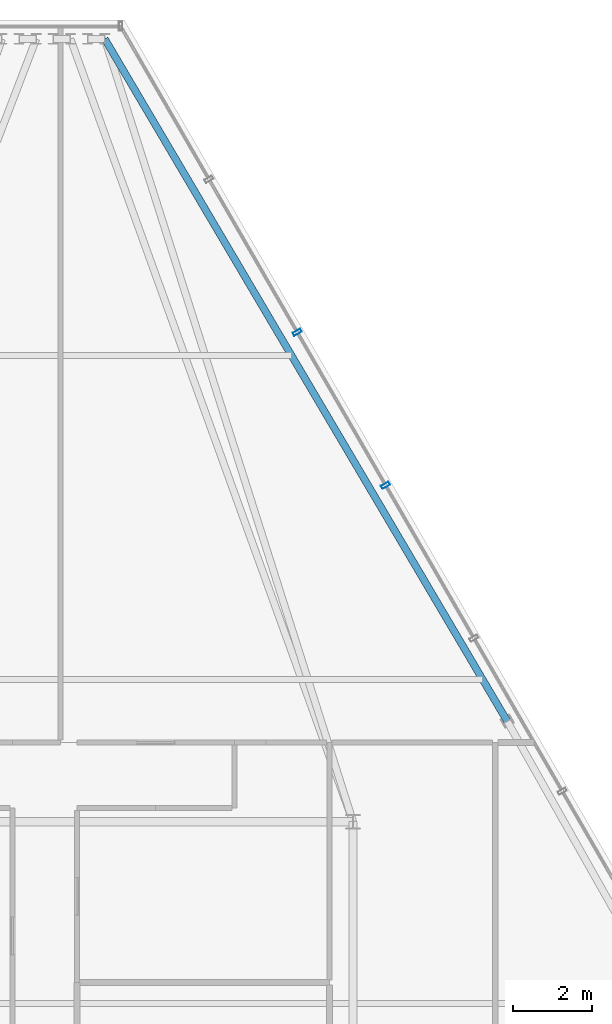
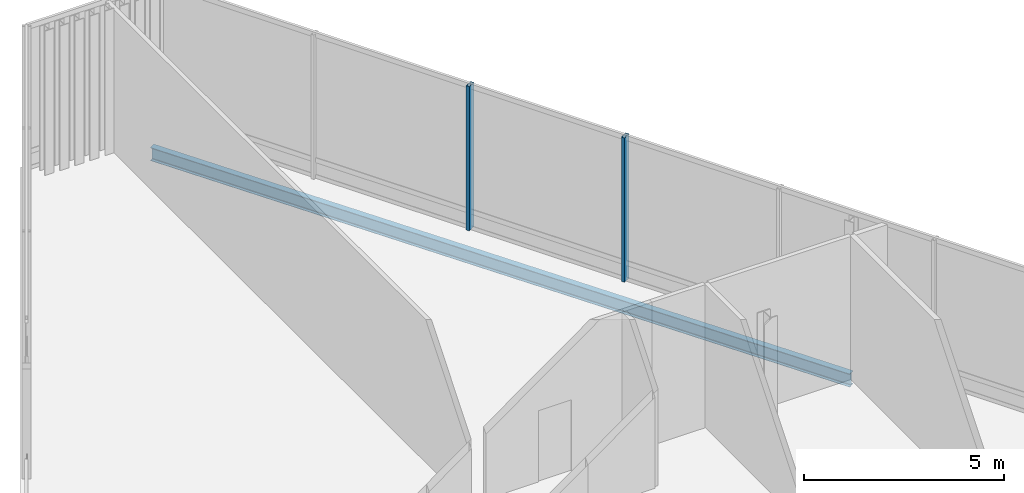
# One storey, part 13 of 25: 2 members, 1 beam, 1 element without a shape of its own.
"""IFC4 building model written with IfcOpenShell, lengths in metres."""

from ifc_helpers import new_model, si_unit, direction, frame, origin, origin_2d, place, context, subcontext, project, spatial, hollow_rectangle, i_section, extrude, material, layer, layer_set, material_profile, profile_set, type_object, element, aggregate, save


model = new_model("IFC4")

# Units and contexts
model_context = context("Model", 3, precision=1e-05, world=origin(), true_north=direction((0.0, 1.0)))
body_context = subcontext(model_context, "Body", "Model", "MODEL_VIEW")
ifc_project = project(units=[si_unit("LENGTHUNIT", "METRE"), si_unit("AREAUNIT", "SQUARE_METRE"), si_unit("VOLUMEUNIT", "CUBIC_METRE"), si_unit("PLANEANGLEUNIT", "RADIAN"), si_unit("MASSUNIT", "GRAM", prefix="KILO")], contexts=[model_context])

# Site, building, storey
site_placement = place(None, origin())
site = spatial("IfcSite", under=ifc_project, at=site_placement, CompositionType="ELEMENT")
building_placement = place(site_placement, origin())
building = spatial("IfcBuilding", under=site, at=building_placement, Name="Ndaravel Arena Tower", CompositionType="ELEMENT")
storey_placement = place(building_placement, frame((0.0, 0.0, 303.300048828125)))
storey = spatial("IfcBuildingStorey", under=building, at=storey_placement, Name="L74", CompositionType="ELEMENT", Elevation=303.300048828125)

# Beam
ifc_material_1 = material(Name="Steel S355", Category="steel")
ifc_material_profile_1 = material_profile(ifc_material_1, i_section(OverallWidth=0.179931640625, OverallDepth=0.39990234375, WebThickness=0.008544921875, FlangeThickness=0.013427734375, FilletRadius=0.02099609375, at=origin_2d()), Name="IPE 400")
ifc_profile_set_1 = profile_set([ifc_material_profile_1], Name="Steel S355")
beam_type = type_object("IfcBeamType", Name="BM-SPAN-IPE400", PredefinedType="SPANDREL", material=ifc_profile_set_1)
beam_placement = place(storey_placement, frame((53.7001953125, 25.745361328125, -0.47998046875), z_axis=(-0.508092559304, 0.861302473687, 0.0), x_axis=(-0.861302473687, -0.508092559304, 0.0)))
element("IfcBeam", 1, at=beam_placement, inside=storey, type_object=beam_type, Name="L74 Perimeter Spandrel Beam SP-10", PredefinedType="SPANDREL", context=body_context, shape_type="SweptSolid", body=[
    extrude(i_section(OverallWidth=0.179931640625, OverallDepth=0.39990234375, WebThickness=0.008544921875, FlangeThickness=0.013427734375, FilletRadius=0.02099609375, at=origin_2d()), origin(), (0.0, 0.0, 1.0), 20.03955078125),
])

# Curtain wall, members
ifc_material_2 = material(Name="Aluminium", Category="aluminium")
ifc_layer = layer(ifc_material_2, 0.179931640625)
ifc_layer_set = layer_set([ifc_layer], Name="Aluminium")
curtain_wall_type = type_object("IfcCurtainWallType", Name="CW-SYS-04", PredefinedType="NOTDEFINED", material=ifc_layer_set)
curtain_wall_placement = place(storey_placement, origin())
curtain_wall = element("IfcCurtainWall", 2, at=curtain_wall_placement, inside=storey, type_object=curtain_wall_type, Name="L74 Faceted Crystal Curtain Wall CW-L74-E03", PredefinedType="NOTDEFINED")
ifc_material_3 = material(Name="Aluminium", Category="aluminium")
ifc_material_profile_2 = material_profile(ifc_material_3, hollow_rectangle(XDim=0.090087890625, YDim=0.219970703125, WallThickness=0.0048828125, at=origin_2d()), Name="CW MULLION 90x220x5")
ifc_profile_set_2 = profile_set([ifc_material_profile_2], Name="Aluminium")
member_type = type_object("IfcMemberType", Name="MEM-CW-MUL220", PredefinedType="MULLION", material=ifc_profile_set_2)
member_1_placement = place(storey_placement, frame((50.624755859375, 31.7119140625, 0.0), z_axis=(0.0, 0.0, 1.0), x_axis=(-0.5, 0.866025403784, 0.0)))
member_1 = element("IfcMember", 3, at=member_1_placement, type_object=member_type, Name="CW-L74-E03 Mullion 06", PredefinedType="MULLION", context=body_context, shape_type="SweptSolid", body=[
    extrude(hollow_rectangle(XDim=0.090087890625, YDim=0.219970703125, WallThickness=0.0048828125, at=origin_2d()), origin(), (0.0, 0.0, 1.0), 4.39990234375),
])
member_2_placement = place(storey_placement, frame((48.389892578125, 35.5830078125, 0.0), z_axis=(0.0, 0.0, 1.0), x_axis=(-0.5, 0.866025403784, 0.0)))
member_2 = element("IfcMember", 4, at=member_2_placement, type_object=member_type, Name="CW-L74-E03 Mullion 07", PredefinedType="MULLION", context=body_context, shape_type="SweptSolid", body=[
    extrude(hollow_rectangle(XDim=0.090087890625, YDim=0.219970703125, WallThickness=0.0048828125, at=origin_2d()), origin(), (0.0, 0.0, 1.0), 4.39990234375),
])
aggregate(curtain_wall, [member_1, member_2])

save(model, "model.ifc")
